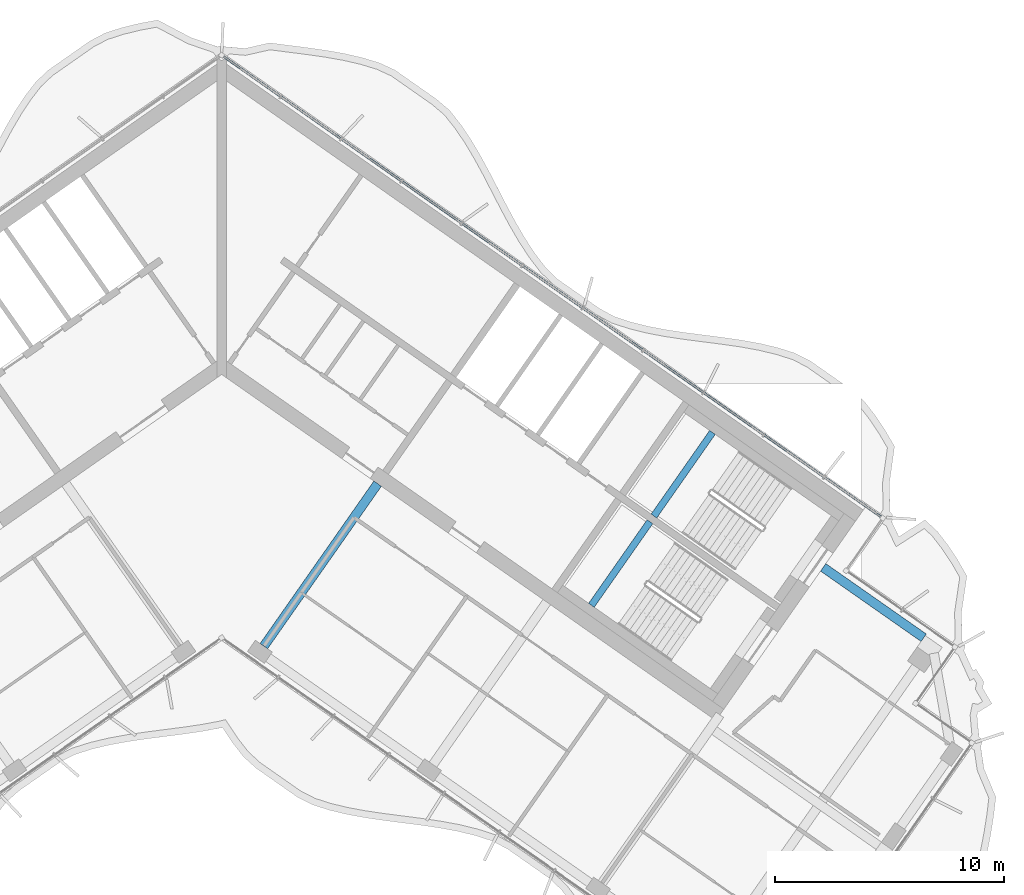
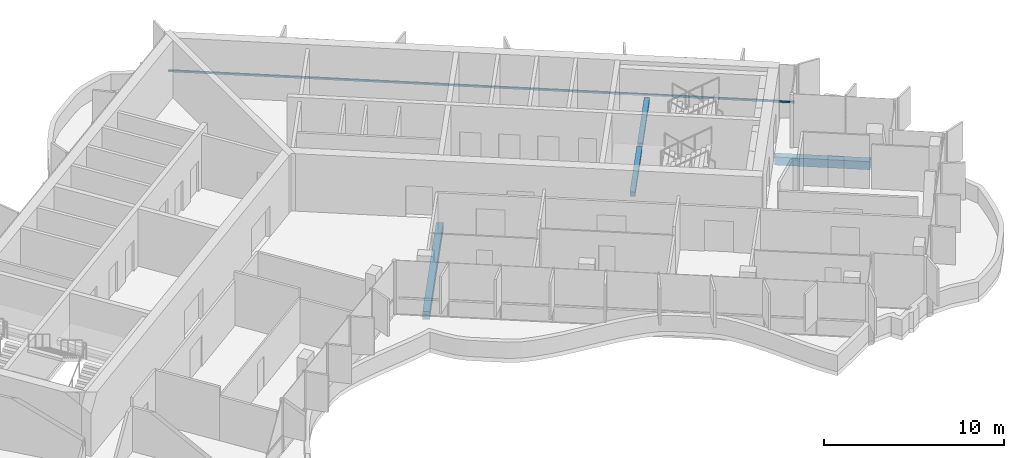
# One storey, part 5 of 20: 4 beams, 1 member, 1 element without a shape of its own.
"""IFC4 building model written with IfcOpenShell, lengths in metres."""

from ifc_helpers import new_model, si_unit, direction, frame, origin, origin_2d, place, context, subcontext, project, spatial, rectangle, extrude, material, material_profile, profile_set, type_object, element, aggregate, save


model = new_model("IFC4")

# Units and contexts
model_context = context("Model", 3, precision=1e-05, world=origin(), true_north=direction((0.0, 1.0)))
body_context = subcontext(model_context, "Body", "Model", "MODEL_VIEW")
ifc_project = project(units=[si_unit("LENGTHUNIT", "METRE"), si_unit("AREAUNIT", "SQUARE_METRE"), si_unit("VOLUMEUNIT", "CUBIC_METRE"), si_unit("PLANEANGLEUNIT", "RADIAN"), si_unit("MASSUNIT", "GRAM", prefix="KILO")], contexts=[model_context])

# Site, building, storey
site_placement = place(None, origin())
site = spatial("IfcSite", under=ifc_project, at=site_placement, CompositionType="ELEMENT")
building_placement = place(site_placement, origin())
building = spatial("IfcBuilding", under=site, at=building_placement, Name="Tel Ilan Convention Tower", CompositionType="ELEMENT")
storey_placement = place(building_placement, frame((0.0, 0.0, 244.89990234375)))
storey = spatial("IfcBuildingStorey", under=building, at=storey_placement, Name="L57", CompositionType="ELEMENT", Elevation=244.89990234375)

# Beams
ifc_material_1 = material(Name="Concrete C40/50", Category="concrete")
ifc_material_profile_1 = material_profile(ifc_material_1, rectangle(XDim=0.39990234375, YDim=0.550048828125, at=origin_2d()), Name="RC 400x550")
ifc_profile_set_1 = profile_set([ifc_material_profile_1], Name="Concrete C40/50")
beam_type_1 = type_object("IfcBeamType", Name="Beam RC 400x550 Concrete C40/50", PredefinedType="BEAM", material=ifc_profile_set_1)
beam_1_placement = place(storey_placement, frame((30.6005859375, -12.6982421875, -0.554931640625), z_axis=(-0.819146154531, 0.573584847705, 0.0), x_axis=(-0.573584847705, -0.819146154531, 0.0)))
element("IfcBeam", 1, at=beam_1_placement, inside=storey, type_object=beam_type_1, Name="L57 beam E-E-BC-core", PredefinedType="BEAM", context=body_context, shape_type="SweptSolid", body=[
    extrude(rectangle(XDim=0.39990234375, YDim=0.550048828125, at=origin_2d()), origin(), (0.0, 0.0, 1.0), 5.349853515625),
])
beam_2_placement = place(storey_placement, frame((1.83740234375, -13.06689453125, -0.554931640625), z_axis=(0.573574099654, 0.819153680457, 0.0), x_axis=(-0.819153680457, 0.573574099654, 0.0)))
element("IfcBeam", 2, at=beam_2_placement, inside=storey, type_object=beam_type_1, Name="L57 beam E-E-F1-core", PredefinedType="BEAM", context=body_context, shape_type="SweptSolid", body=[
    extrude(rectangle(XDim=0.39990234375, YDim=0.550048828125, at=origin_2d()), origin(), (0.0, 0.0, 1.0), 8.64990234375),
])

# Curtain wall, member
ifc_material_2 = material(Name="Aluminium, bronze anodised", Category="aluminium")
curtain_wall_type = type_object("IfcCurtainWallType", Name="CW2 STICK CURTAIN WALL, SPANDREL PANELS", PredefinedType="NOTDEFINED", material=ifc_material_2)
curtain_wall_placement = place(storey_placement, origin())
curtain_wall = element("IfcCurtainWall", 3, at=curtain_wall_placement, inside=storey, type_object=curtain_wall_type, Name="Curtain wall CW2-44.01", PredefinedType="NOTDEFINED")
ifc_material_3 = material(Name="Aluminium, bronze anodised", Category="aluminium")
ifc_material_profile_2 = material_profile(ifc_material_3, rectangle(XDim=0.10009765625, YDim=0.1201171875, at=origin_2d()), Name="CW TRANSOM 100x120")
ifc_profile_set_2 = profile_set([ifc_material_profile_2], Name="Aluminium, bronze anodised")
member_type = type_object("IfcMemberType", Name="CW TRANSOM 100x120", PredefinedType="USERDEFINED", material=ifc_profile_set_2)
member_placement = place(storey_placement, frame((28.737548828125, -7.42626953125, 1.10009765625), z_axis=(-0.819150201937, 0.573579067494, 0.0), x_axis=(-0.573579067494, -0.819150201937, 0.0)))
member = element("IfcMember", 4, at=member_placement, type_object=member_type, Name="Transom", ObjectType="TRANSOM", PredefinedType="USERDEFINED", context=body_context, shape_type="SweptSolid", body=[
    extrude(rectangle(XDim=0.10009765625, YDim=0.1201171875, at=origin_2d()), origin(), (0.0, 0.0, 1.0), 34.9521484375),
])
aggregate(curtain_wall, [member])

# Beams
ifc_material_4 = material(Name="Concrete C40/50", Category="concrete")
ifc_material_profile_3 = material_profile(ifc_material_4, rectangle(XDim=0.300048828125, YDim=0.300048828125, at=origin_2d()), Name="RC 300x300")
ifc_profile_set_3 = profile_set([ifc_material_profile_3], Name="Concrete C40/50")
beam_type_2 = type_object("IfcBeamType", Name="Landing Beam RC 300x300 Concrete C40/50", PredefinedType="BEAM", material=ifc_profile_set_3)
beam_3_placement = place(storey_placement, frame((21.39404296875, -3.7490234375, 1.60009765625), z_axis=(-0.573547030514, -0.819172633691, 0.0), x_axis=(0.819172633691, -0.573547030514, 0.0)))
element("IfcBeam", 5, at=beam_3_placement, inside=storey, type_object=beam_type_2, Name="S3 landing beam L57.1", PredefinedType="BEAM", context=body_context, shape_type="SweptSolid", body=[
    extrude(rectangle(XDim=0.300048828125, YDim=0.300048828125, at=origin_2d()), origin(), (0.0, 0.0, 1.0), 4.449951171875),
])
beam_4_placement = place(storey_placement, frame((18.669677734375, -7.64013671875, 1.60009765625), z_axis=(-0.573583844845, -0.819146856756, 0.0), x_axis=(0.819146856756, -0.573583844845, 0.0)))
element("IfcBeam", 6, at=beam_4_placement, inside=storey, type_object=beam_type_2, Name="S4 landing beam L57.1", PredefinedType="BEAM", context=body_context, shape_type="SweptSolid", body=[
    extrude(rectangle(XDim=0.300048828125, YDim=0.300048828125, at=origin_2d()), origin(), (0.0, 0.0, 1.0), 4.4501953125),
])

save(model, "model.ifc")
